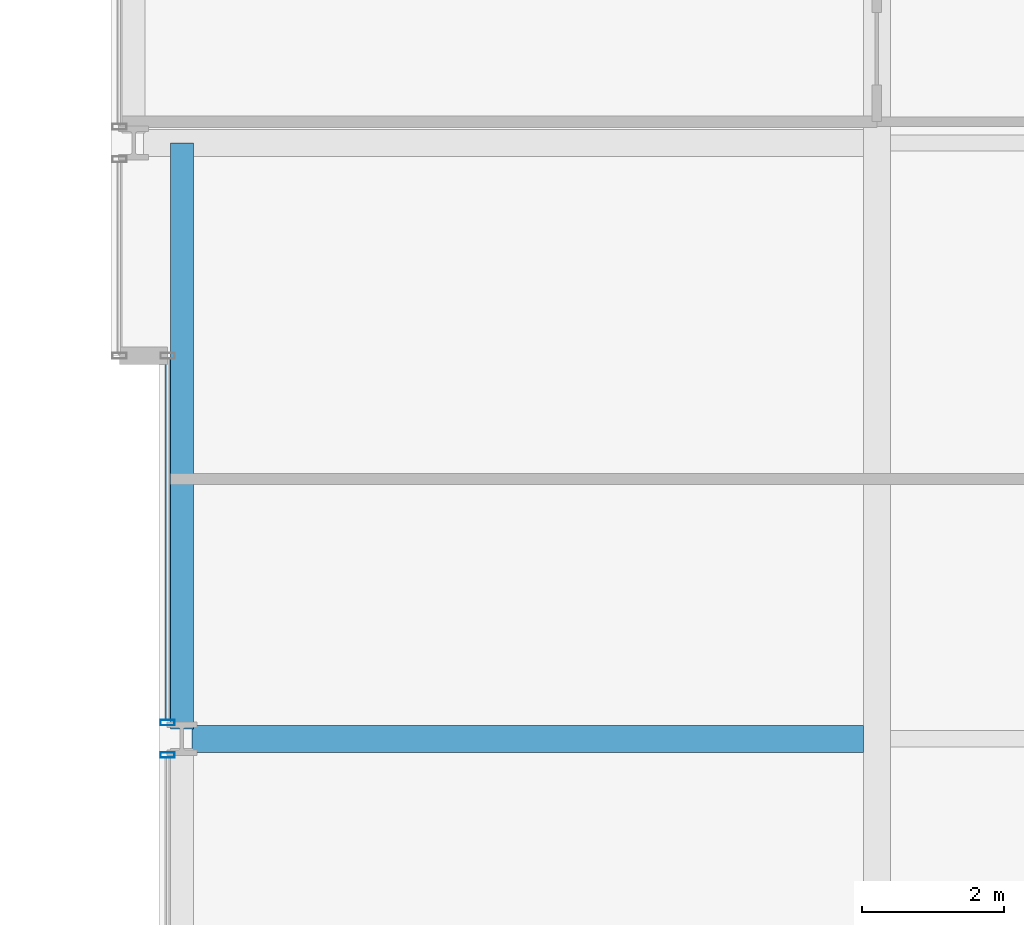
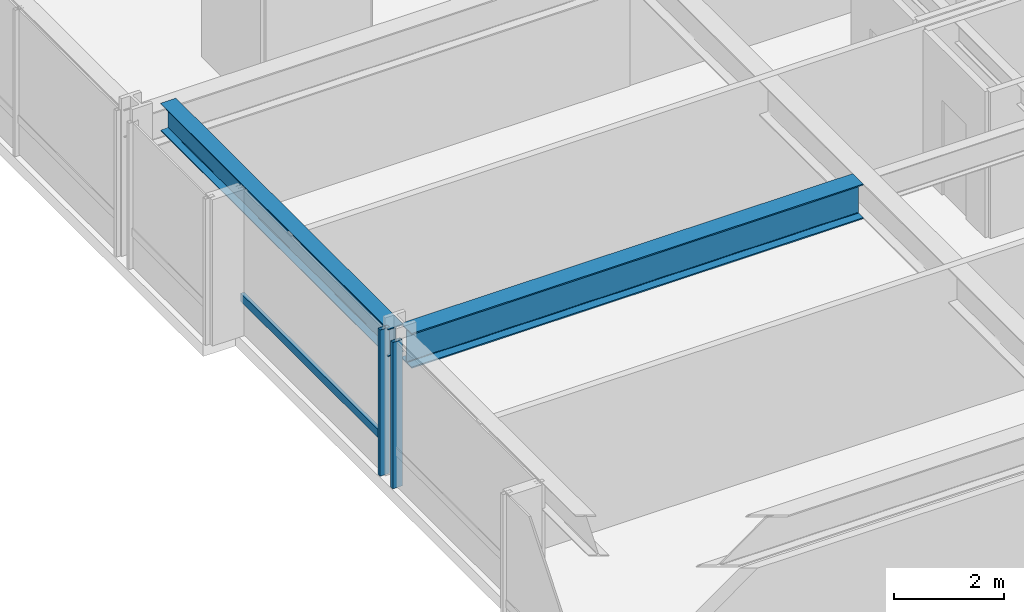
# One storey, part 9 of 38: 3 members, 2 beams, 2 elements without a shape of their own.
"""IFC4 building model written with IfcOpenShell, lengths in metres."""

from ifc_helpers import new_model, si_unit, direction, frame, origin, origin_2d, place, context, subcontext, project, spatial, hollow_rectangle, i_section, extrude, material, layer, layer_set, material_profile, profile_set, type_object, element, aggregate, save


model = new_model("IFC4")

# Units and contexts
model_context = context("Model", 3, precision=1e-05, world=origin(), true_north=direction((0.0, 1.0)))
body_context = subcontext(model_context, "Body", "Model", "MODEL_VIEW")
ifc_project = project(units=[si_unit("LENGTHUNIT", "METRE"), si_unit("AREAUNIT", "SQUARE_METRE"), si_unit("VOLUMEUNIT", "CUBIC_METRE"), si_unit("PLANEANGLEUNIT", "RADIAN"), si_unit("MASSUNIT", "GRAM", prefix="KILO")], contexts=[model_context])

# Site, building, storey
site_placement = place(None, origin())
site = spatial("IfcSite", under=ifc_project, at=site_placement, CompositionType="ELEMENT")
building_placement = place(site_placement, origin())
building = spatial("IfcBuilding", under=site, at=building_placement, Name="Drelvath Grand Hotel", CompositionType="ELEMENT")
storey_placement = place(building_placement, frame((0.0, 0.0, 61.199951171875)))
storey = spatial("IfcBuildingStorey", under=building, at=storey_placement, Name="L14", CompositionType="ELEMENT", Elevation=61.199951171875)

# Curtain wall, member
ifc_material_1 = material(Name="Warm Bronze Anodised Aluminium Frame", Category="aluminium")
ifc_layer = layer(ifc_material_1, 0.199951171875)
ifc_layer_set = layer_set([ifc_layer], Name="Warm Bronze Anodised Aluminium Frame")
curtain_wall_type = type_object("IfcCurtainWallType", Name="Stick Curtain Wall CW-02 Warm Bronze Low-Rise", PredefinedType="NOTDEFINED", material=ifc_layer_set)
curtain_wall_1_placement = place(storey_placement, origin())
curtain_wall_1 = element("IfcCurtainWall", 1, at=curtain_wall_1_placement, inside=storey, type_object=curtain_wall_type, Name="L14 CW-02 Curtain Wall CW02-L14-WM2", PredefinedType="NOTDEFINED")
ifc_material_profile_1 = material_profile(ifc_material_1, hollow_rectangle(XDim=0.074951171875, YDim=0.179931640625, WallThickness=0.0048828125, at=origin_2d()), Name="HSS180X75X5")
ifc_profile_set_1 = profile_set([ifc_material_profile_1], Name="Warm Bronze Anodised Aluminium Frame")
member_type_1 = type_object("IfcMemberType", Name="Curtain Wall Horizontal Transom CW-02 HSS180X75X5", PredefinedType="USERDEFINED", material=ifc_profile_set_1)
member_1_placement = place(storey_placement, frame((-26.199951171875, 27.26904296875, 0.81005859375), z_axis=(0.0, 1.0, 0.0), x_axis=(-1.0, 0.0, 0.0)))
member_1 = element("IfcMember", 2, at=member_1_placement, type_object=member_type_1, Name="CW02-L14-WM2 Sill Transom", ObjectType="TRANSOM", PredefinedType="USERDEFINED", context=body_context, shape_type="SweptSolid", body=[
    extrude(hollow_rectangle(XDim=0.074951171875, YDim=0.179931640625, WallThickness=0.0048828125, at=origin_2d()), origin(), (0.0, 0.0, 1.0), 5.091064453125),
])

curtain_wall_2_placement = place(storey_placement, origin())
curtain_wall_2 = element("IfcCurtainWall", 3, at=curtain_wall_2_placement, inside=storey, type_object=curtain_wall_type, Name="L14 CW-02 Curtain Wall CW02-L14-WM1", PredefinedType="NOTDEFINED")
ifc_material_profile_2 = material_profile(ifc_material_1, hollow_rectangle(XDim=0.080078125, YDim=0.199951171875, WallThickness=0.0048828125, at=origin_2d()), Name="HSS200X80X5")
ifc_profile_set_2 = profile_set([ifc_material_profile_2], Name="Warm Bronze Anodised Aluminium Frame")
member_type_2 = type_object("IfcMemberType", Name="Curtain Wall Vertical Mullion CW-02 HSS200X80X5", PredefinedType="MULLION", material=ifc_profile_set_2)
member_2_placement = place(storey_placement, frame((-26.199951171875, 26.77099609375, 0.0), z_axis=(0.0, 0.0, 1.0), x_axis=(0.0, 1.0, 0.0)))
member_2 = element("IfcMember", 4, at=member_2_placement, type_object=member_type_2, Name="CW02-L14-WM1 Mullion 2", PredefinedType="MULLION", context=body_context, shape_type="SweptSolid", body=[
    extrude(hollow_rectangle(XDim=0.080078125, YDim=0.199951171875, WallThickness=0.0048828125, at=origin_2d()), origin(), (0.0, 0.0, 1.0), 3.239990234375),
])
aggregate(curtain_wall_2, [member_2])

# Member
member_3_placement = place(storey_placement, frame((-26.199951171875, 27.22900390625, 0.0), z_axis=(0.0, 0.0, 1.0), x_axis=(0.0, 1.0, 0.0)))
member_3 = element("IfcMember", 5, at=member_3_placement, type_object=member_type_2, Name="CW02-L14-WM2 Mullion 1", PredefinedType="MULLION", context=body_context, shape_type="SweptSolid", body=[
    extrude(hollow_rectangle(XDim=0.080078125, YDim=0.199951171875, WallThickness=0.0048828125, at=origin_2d()), origin(), (0.0, 0.0, 1.0), 3.239990234375),
])

aggregate(curtain_wall_1, [member_3, member_1])

# Beams
ifc_material_2 = material(Name="Steel ASTM A992 Gr 50", Category="steel")
ifc_material_profile_3 = material_profile(ifc_material_2, i_section(OverallWidth=0.323974609375, OverallDepth=0.611083984375, WebThickness=0.0126953125, FlangeThickness=0.01904296875, FilletRadius=0.02197265625, at=origin_2d()), Name="W24X104")
ifc_profile_set_3 = profile_set([ifc_material_profile_3], Name="Steel ASTM A992 Gr 50")
beam_type_1 = type_object("IfcBeamType", Name="Perimeter Spandrel Beam W24X104", PredefinedType="SPANDREL", material=ifc_profile_set_3)
beam_1_placement = place(storey_placement, frame((-26.0, 27.139892578125, 2.9345703125), z_axis=(0.0, 1.0, 0.0), x_axis=(-1.0, 0.0, 0.0)))
element("IfcBeam", 6, at=beam_1_placement, inside=storey, type_object=beam_type_1, Name="L14 Spandrel West Mid N", PredefinedType="SPANDREL", context=body_context, shape_type="SweptSolid", body=[
    extrude(i_section(OverallWidth=0.323974609375, OverallDepth=0.611083984375, WebThickness=0.0126953125, FlangeThickness=0.01904296875, FilletRadius=0.02197265625, at=origin_2d()), origin(), (0.0, 0.0, 1.0), 8.260009765625),
])
ifc_material_profile_4 = material_profile(ifc_material_2, i_section(OverallWidth=0.380615234375, OverallDepth=0.773193359375, WebThickness=0.0166015625, FlangeThickness=0.027099609375, FilletRadius=0.02490234375, at=origin_2d()), Name="W30X173")
ifc_profile_set_4 = profile_set([ifc_material_profile_4], Name="Steel ASTM A992 Gr 50")
beam_type_2 = type_object("IfcBeamType", Name="Primary Floor Girder W30X173", PredefinedType="BEAM", material=ifc_profile_set_4)
beam_2_placement = place(storey_placement, frame((-25.860107421875, 27.0, 2.853515625), z_axis=(1.0, 0.0, 0.0), x_axis=(0.0, 1.0, 0.0)))
element("IfcBeam", 7, at=beam_2_placement, inside=storey, type_object=beam_type_2, Name="L14 West Wing Girder E", PredefinedType="BEAM", context=body_context, shape_type="SweptSolid", body=[
    extrude(i_section(OverallWidth=0.380615234375, OverallDepth=0.773193359375, WebThickness=0.0166015625, FlangeThickness=0.027099609375, FilletRadius=0.02490234375, at=origin_2d()), origin(), (0.0, 0.0, 1.0), 9.4697265625),
])

save(model, "model.ifc")
